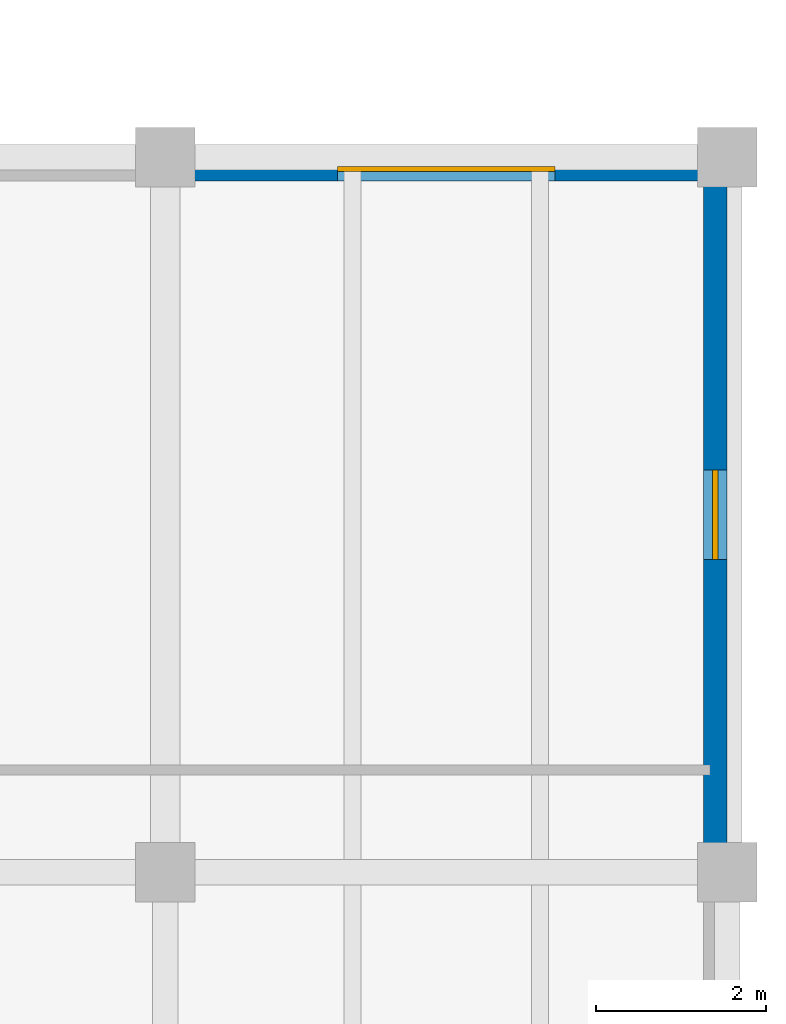
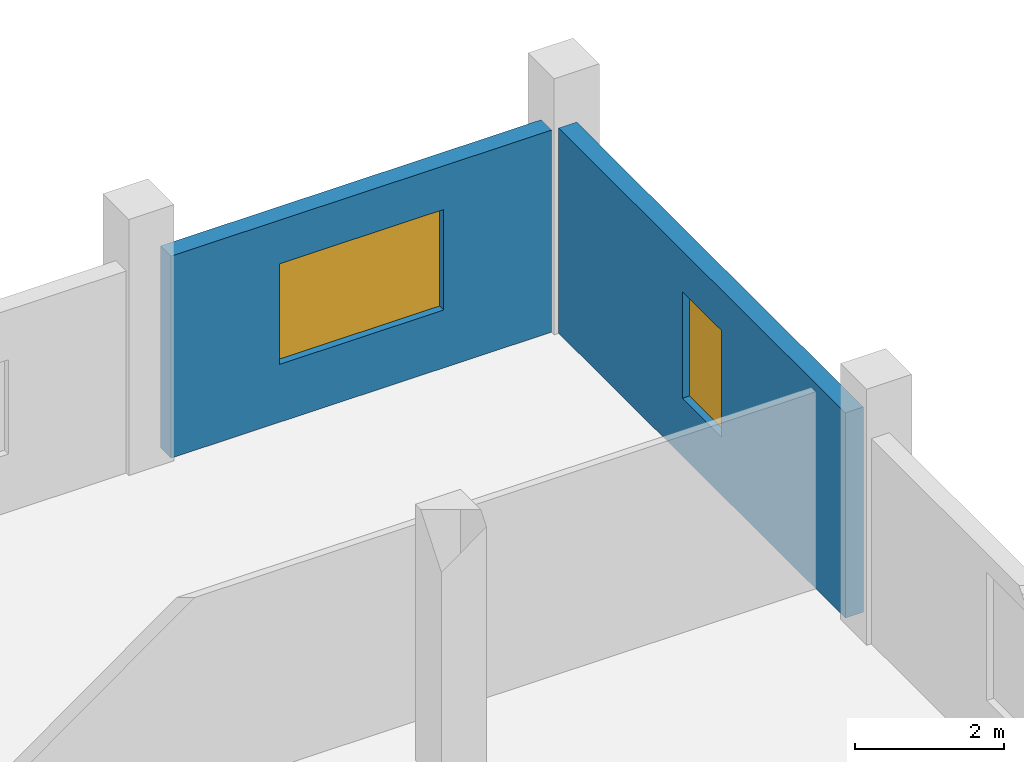
# One storey, part 11 of 19: 2 walls, 2 windows, 2 openings.
"""IFC4 building model written with IfcOpenShell, lengths in metres."""

import ifcopenshell
import ifcopenshell.guid

model = None  # the IFC model being written
_history = None  # IfcOwnerHistory: only IFC2X3 demands one
_inside = {}  # id of a spatial element -> (the spatial element, [elements in it])
_under = {}  # id of a project, library or spatial element -> (it, [spatial elements below it])
_declared = {}  # id of a project -> (the project, [libraries it declares])
_typed = {}  # id of a type object -> (the type object, [elements of that type])
_made_of = {}  # id of a material, layer set ... -> (it, [elements and type objects made of it])


def new_model(schema):
    """Start an empty IFC model of exactly this schema.

    Asked for "IFC4X3", IfcOpenShell would pick the latest addendum, in which some entities
    have other attributes; the version numbers below select the first issue.
    IFC2X3 requires an IfcOwnerHistory on every rooted entity: one is made here for all.
    """
    global model, _history
    if schema == "IFC4X3":
        model = ifcopenshell.file(schema_version=(4, 3, 0, 0))
    else:
        model = ifcopenshell.file(schema=schema)
    _inside.clear()
    _under.clear()
    _declared.clear()
    _typed.clear()
    _made_of.clear()
    _history = None
    if model.schema == "IFC2X3":
        org = make("IfcOrganization", Name="unknown")
        user = make(
            "IfcPersonAndOrganization",
            ThePerson=make("IfcPerson", FamilyName="unknown"),
            TheOrganization=org,
        )
        app = make(
            "IfcApplication",
            ApplicationDeveloper=org,
            Version="unknown",
            ApplicationFullName="unknown",
            ApplicationIdentifier="unknown",
        )
        _history = make(
            "IfcOwnerHistory",
            OwningUser=user,
            OwningApplication=app,
            ChangeAction="ADDED",
            CreationDate=0,
        )
    return model


def make(cls, **values):
    """One entity of the class cls with the attributes given. An attribute that is None is left unset."""
    return model.create_entity(
        cls, **{name: value for name, value in values.items() if value is not None}
    )


def rooted(cls, **values):
    """An entity with a GlobalId (a new one), such as an element, a storey or a relation."""
    return make(cls, GlobalId=ifcopenshell.guid.new(), OwnerHistory=_history, **values)


def si_unit(unit_type, name, prefix=None):
    """IfcSIUnit, for example si_unit("LENGTHUNIT", "METRE", prefix="MILLI")."""
    return make("IfcSIUnit", UnitType=unit_type, Prefix=prefix, Name=name)


def assignment(units):
    """IfcUnitAssignment: the units of a project."""
    return None if units is None else make("IfcUnitAssignment", Units=units)


def point(xyz):
    """IfcCartesianPoint."""
    return None if xyz is None else make("IfcCartesianPoint", Coordinates=xyz)


def direction(xyz):
    """IfcDirection."""
    return None if xyz is None else make("IfcDirection", DirectionRatios=xyz)


def frame(location, z_axis=None, x_axis=None):
    """IfcAxis2Placement3D, a coordinate frame: its origin and axes. An axis left out is left unset."""
    return make(
        "IfcAxis2Placement3D",
        Location=point(location),
        Axis=direction(z_axis),
        RefDirection=direction(x_axis),
    )


def frame_2d(location, x_axis=None):
    """IfcAxis2Placement2D, a coordinate frame in the plane: its origin and x axis."""
    return make(
        "IfcAxis2Placement2D", Location=point(location), RefDirection=direction(x_axis)
    )


def origin():
    """The frame at (0, 0, 0) with its axes left unset."""
    return frame((0.0, 0.0, 0.0))


def place(relative_to, where):
    """IfcLocalPlacement: puts the frame where relative to a parent placement (None: the world)."""
    return make(
        "IfcLocalPlacement", PlacementRelTo=relative_to, RelativePlacement=where
    )


def context(
    kind, dimensions, precision=None, world=None, true_north=None, identifier=None
):
    """IfcGeometricRepresentationContext, for example the 3D "Model" context."""
    return make(
        "IfcGeometricRepresentationContext",
        ContextIdentifier=identifier,
        ContextType=kind,
        CoordinateSpaceDimension=dimensions,
        Precision=precision,
        WorldCoordinateSystem=world,
        TrueNorth=true_north,
    )


def subcontext(parent, identifier, kind, view, scale=None):
    """IfcGeometricRepresentationSubContext, for example "Body" below "Model"."""
    return make(
        "IfcGeometricRepresentationSubContext",
        ContextIdentifier=identifier,
        ContextType=kind,
        ParentContext=parent,
        TargetScale=scale,
        TargetView=view,
    )


def project(units=None, contexts=None):
    """IfcProject with its units and contexts."""
    return rooted(
        "IfcProject",
        Name="project",
        RepresentationContexts=contexts,
        UnitsInContext=assignment(units),
    )


def spatial(cls, under=None, at=None, **own):
    """A site, building, storey or space (cls), placed at a placement, below another one or the project."""
    s = rooted(cls, ObjectPlacement=at, **own)
    if under is not None:
        _under.setdefault(under.id(), (under, []))[1].append(s)
    return s


def profile(cls, at=None, kind="AREA", **sizes):
    """A parametric profile (cls). Its sizes go by their IFC names, for example OverallWidth=200.0."""
    return make(cls, ProfileType=kind, Position=at, **sizes)


def rectangle(**sizes):
    """IfcRectangleProfileDef."""
    return profile("IfcRectangleProfileDef", **sizes)


def extrude(swept, where, along, depth):
    """IfcExtrudedAreaSolid: the profile swept, set in the frame where, extruded along a direction by depth."""
    return make(
        "IfcExtrudedAreaSolid",
        SweptArea=swept,
        Position=where,
        ExtrudedDirection=direction(along),
        Depth=depth,
    )


def shape(context_of_items, identifier, shape_type, items):
    """IfcShapeRepresentation: the items that make up one representation, for example the "Body"."""
    return make(
        "IfcShapeRepresentation",
        ContextOfItems=context_of_items,
        RepresentationIdentifier=identifier,
        RepresentationType=shape_type,
        Items=items,
    )


def material(Name=None, Category=None):
    """IfcMaterial."""
    return make("IfcMaterial", Name=Name, Category=Category)


def layer(
    of_material, thickness, ventilated=None, Name=None, Category=None, Priority=None
):
    """IfcMaterialLayer: one layer of a wall or slab, of a material (None: an air gap)."""
    return make(
        "IfcMaterialLayer",
        Material=of_material,
        LayerThickness=thickness,
        IsVentilated=ventilated,
        Name=Name,
        Category=Category,
        Priority=Priority,
    )


def layer_set(layers, Name=None):
    """IfcMaterialLayerSet."""
    return make("IfcMaterialLayerSet", MaterialLayers=layers, LayerSetName=Name)


def made_of(thing, what):
    """Note that an element or type object is made of a material, layer set ...; save() writes the relation."""
    if what is not None:
        _made_of.setdefault(what.id(), (what, []))[1].append(thing)
    return thing


def type_object(cls, material=None, **own):
    """A type object (cls), such as IfcWallType, which elements share."""
    return made_of(rooted(cls, **own), material)


def element(
    cls,
    number,
    at=None,
    inside=None,
    cuts=None,
    type_object=None,
    material=None,
    context=None,
    identifier="Body",
    shape_type=None,
    held_by="IfcProductDefinitionShape",
    body=None,
    shapes=None,
    **own,
):
    """One element of the class cls, such as IfcWall. Its Tag is "e" and its number.

    at: its placement. inside: the storey or other place that contains it. cuts: it is an
    opening in that element (IfcRelVoidsElement). A single representation is given by context,
    identifier, shape_type and body (its items); several are given by shapes. held_by: the class
    of the entity that holds the representations. save() writes the other relations.
    """
    e = rooted(cls, Tag="e%d" % number, ObjectPlacement=at, **own)
    if body is not None:
        shapes = [shape(context, identifier, shape_type, body)]
    if shapes is not None:
        e.Representation = make(held_by, Representations=shapes)
    if inside is not None:
        _inside.setdefault(inside.id(), (inside, []))[1].append(e)
    if cuts is not None:
        rooted(
            "IfcRelVoidsElement", RelatingBuildingElement=cuts, RelatedOpeningElement=e
        )
    if type_object is not None:
        _typed.setdefault(type_object.id(), (type_object, []))[1].append(e)
    return made_of(e, material)


def fill(opening, filler):
    """IfcRelFillsElement: the door or window that sits in an opening."""
    return rooted(
        "IfcRelFillsElement",
        RelatingOpeningElement=opening,
        RelatedBuildingElement=filler,
    )


def aggregate(whole, parts):
    """IfcRelAggregates: a whole, such as a stair, and the parts it consists of."""
    return rooted("IfcRelAggregates", RelatingObject=whole, RelatedObjects=parts)


def save(model, path):
    """Write the relations noted so far, then the file.

    IfcRelAggregates (storeys below a building ...), IfcRelContainedInSpatialStructure (elements
    in a storey), IfcRelDefinesByType, IfcRelAssociatesMaterial and IfcRelDeclares: one each for
    every whole, place, type object, material and project.
    """
    for whole, parts in _under.values():
        aggregate(whole, parts)
    for where, things in _inside.values():
        rooted(
            "IfcRelContainedInSpatialStructure",
            RelatedElements=things,
            RelatingStructure=where,
        )
    for kind, things in _typed.values():
        rooted("IfcRelDefinesByType", RelatedObjects=things, RelatingType=kind)
    for what, things in _made_of.values():
        rooted("IfcRelAssociatesMaterial", RelatedObjects=things, RelatingMaterial=what)
    for by, libraries in _declared.values():
        rooted("IfcRelDeclares", RelatingContext=by, RelatedDefinitions=libraries)
    model.write(path)


model = new_model("IFC4")

# Units and contexts
model_context = context("Model", 3, precision=1e-05, world=origin(), true_north=direction((0.0, 1.0)))
body_context = subcontext(model_context, "Body", "Model", "MODEL_VIEW")
ifc_project = project(units=[si_unit("LENGTHUNIT", "METRE"), si_unit("AREAUNIT", "SQUARE_METRE"), si_unit("VOLUMEUNIT", "CUBIC_METRE"), si_unit("PLANEANGLEUNIT", "RADIAN"), si_unit("MASSUNIT", "GRAM", prefix="KILO")], contexts=[model_context])

# Site, building, storey
site_placement = place(None, origin())
site = spatial("IfcSite", under=ifc_project, at=site_placement, CompositionType="ELEMENT")
building_placement = place(site_placement, origin())
building = spatial("IfcBuilding", under=site, at=building_placement, Name="Qaldarim Faculty of Natural and Applied Sciences", CompositionType="ELEMENT")
storey_placement = place(building_placement, frame((0.0, 0.0, 27.0)))
storey = spatial("IfcBuildingStorey", under=building, at=storey_placement, Name="L06", CompositionType="ELEMENT", Elevation=27.0)

# Wall, opening, window
ifc_material_1 = material(Name="Precast concrete C40/50", Category="concrete")
ifc_layer = layer(ifc_material_1, 0.280029296875)
ifc_layer_set = layer_set([ifc_layer], Name="Precast concrete C40/50")
wall_type = type_object("IfcWallType", Name="ExteriorSpandrelWall-280", PredefinedType="SOLIDWALL", material=ifc_layer_set)
wall_1_placement = place(storey_placement, frame((178.06005859375, 50.7451171875, 0.0), z_axis=(0.0, 0.0, 1.0), x_axis=(0.0, 1.0, 0.0)))
wall_1 = element("IfcWall", 1, at=wall_1_placement, inside=storey, type_object=wall_type, Name="Exterior wall EW02 L06 E X27Y07", PredefinedType="SOLIDWALL", context=body_context, shape_type="SweptSolid", body=[
    extrude(rectangle(XDim=7.7099609375, YDim=0.280029296875, at=frame_2d((3.85498046875, 0.0))), origin(), (0.0, 0.0, 1.0), 3.364990234375),
])
opening_1_placement = place(wall_1_placement, frame((3.330078125, 0.0, 0.949951171875)))
opening_1 = element("IfcOpeningElement", 2, at=opening_1_placement, cuts=wall_1, Name="Opening WN17", PredefinedType="OPENING", context=body_context, shape_type="SweptSolid", body=[
    extrude(rectangle(XDim=1.050048828125, YDim=1.75, at=frame_2d((0.52490234375, 0.875))), frame((0.0, 0.14990234375, 0.0), z_axis=(0.0, -1.0, 0.0), x_axis=(1.0, 0.0, 0.0)), (0.0, 0.0, 1.0), 0.300048828125),
])
ifc_material_2 = material(Name="Insulated low-e double glazing", Category="glass")
window_type_1 = type_object("IfcWindowType", Name="StudyWindow-1050x1750", PartitioningType="SINGLE_PANEL", PredefinedType="WINDOW", material=ifc_material_2)
window_1_placement = place(opening_1_placement, origin())
window_1 = element("IfcWindow", 3, at=window_1_placement, inside=storey, type_object=window_type_1, Name="Facade window WN17 L06 E X27Y07", OverallHeight=1.75, OverallWidth=1.050048828125, PartitioningType="SINGLE_PANEL", PredefinedType="WINDOW", context=body_context, shape_type="SweptSolid", body=[
    extrude(rectangle(XDim=1.050048828125, YDim=1.75, at=frame_2d((0.52490234375, 0.875))), frame((0.0, 0.030029296875, 0.0), z_axis=(0.0, -1.0, 0.0), x_axis=(1.0, 0.0, 0.0)), (0.0, 0.0, 1.0), 0.06005859375),
])
fill(opening_1, window_1)

wall_2_placement = place(storey_placement, frame((177.85498046875, 58.659912109375, 0.0), z_axis=(0.0, 0.0, 1.0), x_axis=(-1.0, 0.0, 0.0)))
wall_2 = element("IfcWall", 4, at=wall_2_placement, inside=storey, type_object=wall_type, Name="Exterior wall EW02 L06 N X27Y07", PredefinedType="SOLIDWALL", context=body_context, shape_type="SweptSolid", body=[
    extrude(rectangle(XDim=5.909912109375, YDim=0.280029296875, at=frame_2d((2.955078125, 0.0))), origin(), (0.0, 0.0, 1.0), 3.31494140625),
])
opening_2_placement = place(wall_2_placement, frame((1.679931640625, 0.0, 0.949951171875)))
opening_2 = element("IfcOpeningElement", 5, at=opening_2_placement, cuts=wall_2, Name="Opening WN13", PredefinedType="OPENING", context=body_context, shape_type="SweptSolid", body=[
    extrude(rectangle(XDim=2.550048828125, YDim=1.64990234375, at=frame_2d((1.27490234375, 0.824951171875))), frame((0.0, 0.14990234375, 0.0), z_axis=(0.0, -1.0, 0.0), x_axis=(1.0, 0.0, 0.0)), (0.0, 0.0, 1.0), 0.300048828125),
])
window_type_2 = type_object("IfcWindowType", Name="LabWindow-2550x1650", PartitioningType="TRIPLE_PANEL_VERTICAL", PredefinedType="WINDOW", material=ifc_material_2)
window_2_placement = place(opening_2_placement, origin())
window_2 = element("IfcWindow", 6, at=window_2_placement, inside=storey, type_object=window_type_2, Name="Facade window WN13 L06 N X27Y07", OverallHeight=1.64990234375, OverallWidth=2.550048828125, PartitioningType="SINGLE_PANEL", PredefinedType="WINDOW", context=body_context, shape_type="SweptSolid", body=[
    extrude(rectangle(XDim=2.550048828125, YDim=1.64990234375, at=frame_2d((1.27490234375, 0.824951171875))), frame((0.0, 0.030029296875, 0.0), z_axis=(0.0, -1.0, 0.0), x_axis=(1.0, 0.0, 0.0)), (0.0, 0.0, 1.0), 0.06005859375),
])
fill(opening_2, window_2)

save(model, "model.ifc")
